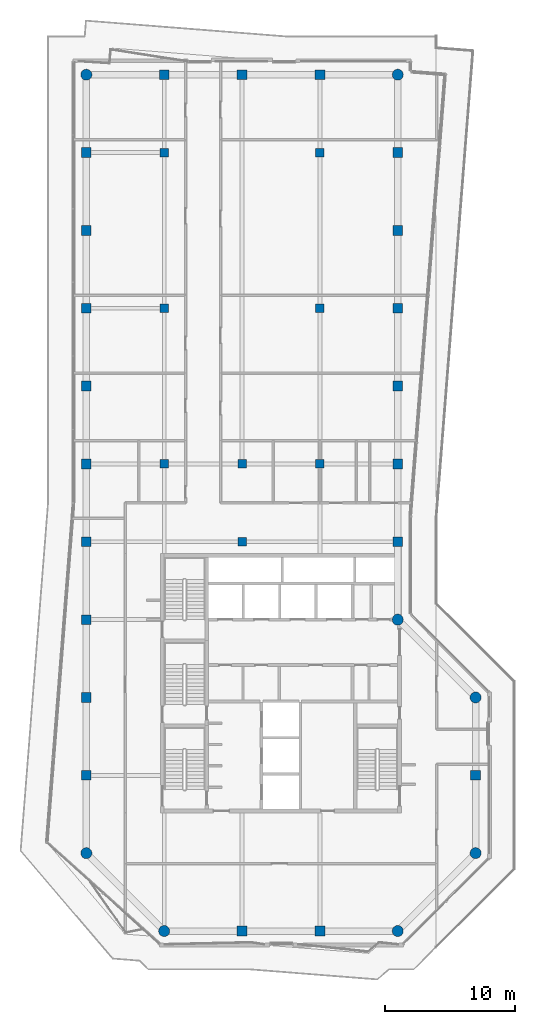
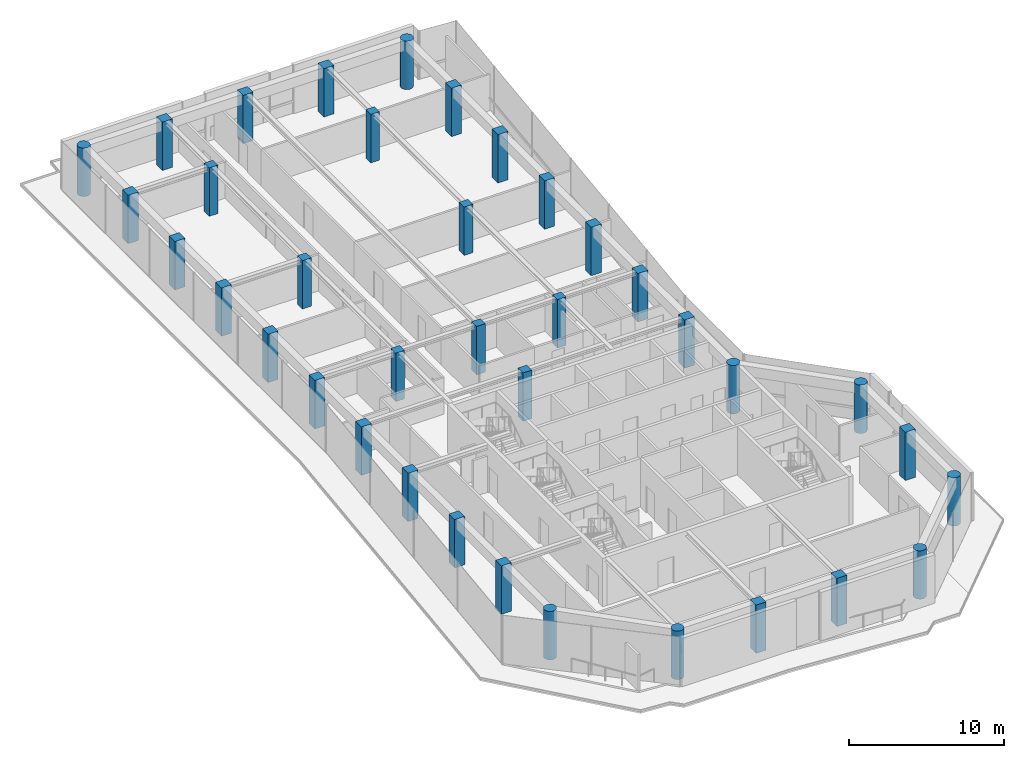
# One storey, part 1 of 22: 37 columns.
"""IFC4 building model written with IfcOpenShell, lengths in metres."""

from ifc_helpers import new_model, si_unit, direction, frame, origin, origin_2d, place, context, subcontext, project, spatial, rectangle, circle, extrude, material, material_profile, profile_set, type_object, element, save


model = new_model("IFC4")

# Units and contexts
model_context = context("Model", 3, precision=1e-05, world=origin(), true_north=direction((0.0, 1.0)))
body_context = subcontext(model_context, "Body", "Model", "MODEL_VIEW")
ifc_project = project(units=[si_unit("LENGTHUNIT", "METRE"), si_unit("AREAUNIT", "SQUARE_METRE"), si_unit("VOLUMEUNIT", "CUBIC_METRE"), si_unit("PLANEANGLEUNIT", "RADIAN"), si_unit("MASSUNIT", "GRAM", prefix="KILO")], contexts=[model_context])

# Site, building, storey
site_placement = place(None, origin())
site = spatial("IfcSite", under=ifc_project, at=site_placement, CompositionType="ELEMENT")
building_placement = place(site_placement, origin())
building = spatial("IfcBuilding", under=site, at=building_placement, Name="Welwitschia Terrace Campus", CompositionType="ELEMENT")
storey_placement = place(building_placement, frame((0.0, 0.0, 268.39990234375)))
storey = spatial("IfcBuildingStorey", under=building, at=storey_placement, Name="L59", CompositionType="ELEMENT", Elevation=268.39990234375)

# Columns
ifc_material_1 = material(Name="Concrete C50/60", Category="concrete")
ifc_material_profile_1 = material_profile(ifc_material_1, circle(Radius=0.425048828125, at=origin_2d()))
ifc_profile_set_1 = profile_set([ifc_material_profile_1], Name="Concrete C50/60")
column_type_1 = type_object("IfcColumnType", Name="Corner column 850 dia", PredefinedType="COLUMN", material=ifc_profile_set_1)
for number, where, z_axis, x_axis, name in (
    (1, (0.0, 2.0, 0.0), (0.0, 0.0, 1.0), (1.0, 0.0, 0.0), "Column C41"),
    (2, (0.0, 62.0, 0.0), (0.0, 0.0, 1.0), (1.0, 0.0, 0.0), "Column C41"),
    (3, (6.0, -4.0, 0.0), (0.0, 0.0, 1.0), (1.0, 0.0, 0.0), "Column C41"),
    (4, (24.0, -4.0, 0.0), (0.0, 0.0, 1.0), (1.0, 0.0, 0.0), "Column C41"),
    (5, (24.0, 20.0, 0.0), (0.0, 0.0, 1.0), (1.0, 0.0, 0.0), "Column C41"),
    (6, (24.0, 62.0, 0.0), (0.0, 0.0, 1.0), (1.0, 0.0, 0.0), "Column C41"),
    (7, (30.0, 2.0, 0.0), (0.0, 0.0, 1.0), (1.0, 0.0, 0.0), "Column C41"),
    (8, (30.0, 14.0, 0.0), (0.0, 0.0, 1.0), (1.0, 0.0, 0.0), "Column C41"),
):
    element("IfcColumn", number, at=place(storey_placement, frame(where, z_axis=z_axis, x_axis=x_axis)), inside=storey, type_object=column_type_1, Name=name, PredefinedType="COLUMN", context=body_context, shape_type="SweptSolid", body=[
        extrude(circle(Radius=0.425048828125, at=origin_2d()), origin(), (0.0, 0.0, 1.0), 3.800048828125),
    ])
ifc_material_2 = material(Name="Concrete C50/60", Category="concrete")
ifc_material_profile_2 = material_profile(ifc_material_2, rectangle(XDim=0.64990234375, YDim=0.64990234375, at=origin_2d()))
ifc_profile_set_2 = profile_set([ifc_material_profile_2], Name="Concrete C50/60")
column_type_2 = type_object("IfcColumnType", Name="Interior column 650x650", PredefinedType="COLUMN", material=ifc_profile_set_2)
for number, where, z_axis, x_axis, name in (
    (9, (6.0, 32.0, 0.0), (0.0, 0.0, 1.0), (1.0, 0.0, 0.0), "Column C43"),
    (10, (6.0, 44.0, 0.0), (0.0, 0.0, 1.0), (1.0, 0.0, 0.0), "Column C43"),
    (11, (6.0, 56.0, 0.0), (0.0, 0.0, 1.0), (1.0, 0.0, 0.0), "Column C43"),
    (12, (12.0, 26.0, 0.0), (0.0, 0.0, 1.0), (1.0, 0.0, 0.0), "Column C43"),
    (13, (12.0, 32.0, 0.0), (0.0, 0.0, 1.0), (1.0, 0.0, 0.0), "Column C43"),
    (14, (18.0, 32.0, 0.0), (0.0, 0.0, 1.0), (1.0, 0.0, 0.0), "Column C43"),
    (15, (18.0, 44.0, 0.0), (0.0, 0.0, 1.0), (1.0, 0.0, 0.0), "Column C43"),
    (16, (18.0, 56.0, 0.0), (0.0, 0.0, 1.0), (1.0, 0.0, 0.0), "Column C43"),
):
    element("IfcColumn", number, at=place(storey_placement, frame(where, z_axis=z_axis, x_axis=x_axis)), inside=storey, type_object=column_type_2, Name=name, PredefinedType="COLUMN", context=body_context, shape_type="SweptSolid", body=[
        extrude(rectangle(XDim=0.64990234375, YDim=0.64990234375, at=origin_2d()), origin(), (0.0, 0.0, 1.0), 3.800048828125),
    ])
ifc_material_3 = material(Name="Concrete C50/60", Category="concrete")
ifc_material_profile_3 = material_profile(ifc_material_3, rectangle(XDim=0.75, YDim=0.75, at=origin_2d()))
ifc_profile_set_3 = profile_set([ifc_material_profile_3], Name="Concrete C50/60")
column_type_3 = type_object("IfcColumnType", Name="Ring column 750x750", PredefinedType="COLUMN", material=ifc_profile_set_3)
for number, where, z_axis, x_axis, name in (
    (17, (0.0, 8.0, 0.0), (0.0, 0.0, 1.0), (1.0, 0.0, 0.0), "Column C42"),
    (18, (0.0, 14.0, 0.0), (0.0, 0.0, 1.0), (1.0, 0.0, 0.0), "Column C42"),
    (19, (0.0, 20.0, 0.0), (0.0, 0.0, 1.0), (1.0, 0.0, 0.0), "Column C42"),
    (20, (0.0, 26.0, 0.0), (0.0, 0.0, 1.0), (1.0, 0.0, 0.0), "Column C42"),
    (21, (0.0, 32.0, 0.0), (0.0, 0.0, 1.0), (1.0, 0.0, 0.0), "Column C42"),
    (22, (0.0, 38.0, 0.0), (0.0, 0.0, 1.0), (1.0, 0.0, 0.0), "Column C42"),
    (23, (0.0, 44.0, 0.0), (0.0, 0.0, 1.0), (1.0, 0.0, 0.0), "Column C42"),
    (24, (0.0, 50.0, 0.0), (0.0, 0.0, 1.0), (1.0, 0.0, 0.0), "Column C42"),
    (25, (0.0, 56.0, 0.0), (0.0, 0.0, 1.0), (1.0, 0.0, 0.0), "Column C42"),
    (26, (6.0, 62.0, 0.0), (0.0, 0.0, 1.0), (1.0, 0.0, 0.0), "Column C42"),
    (27, (12.0, -4.0, 0.0), (0.0, 0.0, 1.0), (1.0, 0.0, 0.0), "Column C42"),
    (28, (12.0, 62.0, 0.0), (0.0, 0.0, 1.0), (1.0, 0.0, 0.0), "Column C42"),
    (29, (18.0, -4.0, 0.0), (0.0, 0.0, 1.0), (1.0, 0.0, 0.0), "Column C42"),
    (30, (18.0, 62.0, 0.0), (0.0, 0.0, 1.0), (1.0, 0.0, 0.0), "Column C42"),
    (31, (24.0, 26.0, 0.0), (0.0, 0.0, 1.0), (1.0, 0.0, 0.0), "Column C42"),
    (32, (24.0, 32.0, 0.0), (0.0, 0.0, 1.0), (1.0, 0.0, 0.0), "Column C42"),
    (33, (24.0, 38.0, 0.0), (0.0, 0.0, 1.0), (1.0, 0.0, 0.0), "Column C42"),
    (34, (24.0, 44.0, 0.0), (0.0, 0.0, 1.0), (1.0, 0.0, 0.0), "Column C42"),
    (35, (24.0, 50.0, 0.0), (0.0, 0.0, 1.0), (1.0, 0.0, 0.0), "Column C42"),
    (36, (24.0, 56.0, 0.0), (0.0, 0.0, 1.0), (1.0, 0.0, 0.0), "Column C42"),
    (37, (30.0, 8.0, 0.0), (0.0, 0.0, 1.0), (1.0, 0.0, 0.0), "Column C42"),
):
    element("IfcColumn", number, at=place(storey_placement, frame(where, z_axis=z_axis, x_axis=x_axis)), inside=storey, type_object=column_type_3, Name=name, PredefinedType="COLUMN", context=body_context, shape_type="SweptSolid", body=[
        extrude(rectangle(XDim=0.75, YDim=0.75, at=origin_2d()), origin(), (0.0, 0.0, 1.0), 3.800048828125),
    ])

save(model, "model.ifc")
